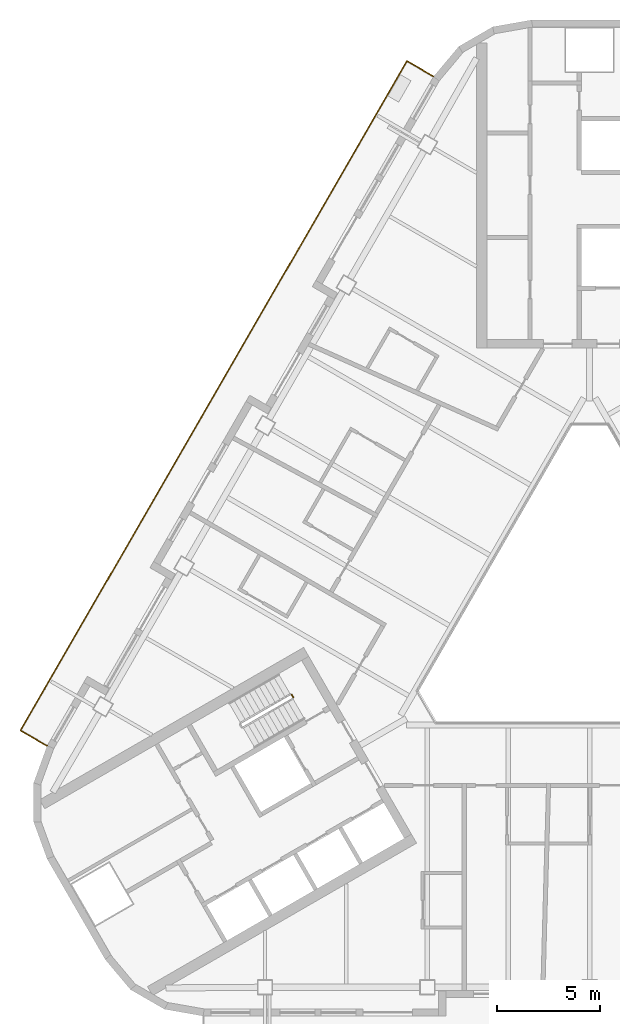
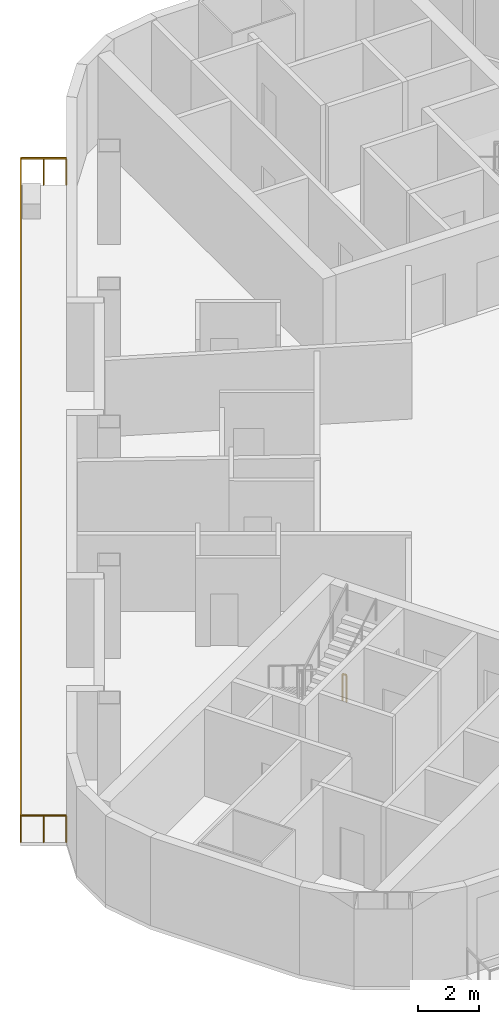
# One storey, part 11 of 14: 2 railings.
"""IFC4 building model written with IfcOpenShell, lengths in metres."""

from ifc_helpers import new_model, si_unit, direction, frame, origin, origin_2d, place, context, subcontext, project, spatial, rectangle, extrude, material, type_object, element, save


model = new_model("IFC4")

# Units and contexts
model_context = context("Model", 3, precision=1e-05, world=origin(), true_north=direction((0.0, 1.0)))
body_context = subcontext(model_context, "Body", "Model", "MODEL_VIEW")
ifc_project = project(units=[si_unit("LENGTHUNIT", "METRE"), si_unit("AREAUNIT", "SQUARE_METRE"), si_unit("VOLUMEUNIT", "CUBIC_METRE"), si_unit("PLANEANGLEUNIT", "RADIAN"), si_unit("MASSUNIT", "GRAM", prefix="KILO")], contexts=[model_context])

# Site, building, storey
site_placement = place(None, origin())
site = spatial("IfcSite", under=ifc_project, at=site_placement, CompositionType="ELEMENT")
building_placement = place(site_placement, origin())
building = spatial("IfcBuilding", under=site, at=building_placement, Name="Apuvela Tower Hotel", CompositionType="ELEMENT")
storey_placement = place(building_placement, frame((0.0, 0.0, 216.89990234375)))
storey = spatial("IfcBuildingStorey", under=building, at=storey_placement, Name="L53", CompositionType="ELEMENT", Elevation=216.89990234375)

# Railings
ifc_material_1 = material(Name="Steel S275 balustrade", Category="steel")
railing_type_1 = type_object("IfcRailingType", Name="COR-GUARD-1100", PredefinedType="GUARDRAIL", material=ifc_material_1)
railing_1_placement = place(storey_placement, frame((-14.500732421875, -3.984130859375, 0.0)))
element("IfcRailing", 1, at=railing_1_placement, inside=storey, type_object=railing_type_1, Name="L53 ST2 stair guard 4", PredefinedType="GUARDRAIL", context=body_context, shape_type="SweptSolid", body=[
    extrude(rectangle(XDim=0.048095703125, YDim=0.048095703125, at=origin_2d()), frame((0.0, 0.0, 1.076171875), z_axis=(0.499816412211, -0.866131372301, 0.0), x_axis=(0.866131372301, 0.499816412211, 0.0)), (0.0, 0.0, 1.0), 0.14990234375),
    extrude(rectangle(XDim=0.0419921875, YDim=0.0419921875, at=origin_2d()), origin(), (0.0, 0.0, 1.0), 1.052001953125),
    extrude(rectangle(XDim=0.0419921875, YDim=0.0419921875, at=origin_2d()), frame((0.074951171875, -0.1298828125, 0.0)), (0.0, 0.0, 1.0), 1.052001953125),
])
ifc_material_2 = material(Name="Stainless steel 316 rail with laminated glass infill", Category="steel")
railing_type_2 = type_object("IfcRailingType", Name="ENV-GUARD-1100", PredefinedType="GUARDRAIL", material=ifc_material_2)
railing_2_placement = place(storey_placement, frame((-7.59228515625, 26.110107421875, 0.0)))
element("IfcRailing", 2, at=railing_2_placement, inside=storey, type_object=railing_type_2, Name="Balcony guard NW L53", PredefinedType="GUARDRAIL", context=body_context, shape_type="SweptSolid", body=[
    extrude(rectangle(XDim=0.050048828125, YDim=0.050048828125, at=origin_2d()), frame((0.0, 0.0, 1.0751953125), z_axis=(-0.86599040064, 0.500060622324, 0.0), x_axis=(-0.500060622324, -0.86599040064, 0.0)), (0.0, 0.0, 1.0), 1.499755859375),
    extrude(rectangle(XDim=0.050048828125, YDim=0.050048828125, at=origin_2d()), frame((-1.298828125, 0.75, 1.0751953125), z_axis=(-0.500000437506, -0.86602515119, 0.0), x_axis=(0.86602515119, -0.500000437506, 0.0)), (0.0, 0.0, 1.0), 37.6318359375),
    extrude(rectangle(XDim=0.050048828125, YDim=0.050048828125, at=origin_2d()), frame((-20.11474609375, -31.840087890625, 1.0751953125), z_axis=(0.866031096941, -0.499990139034, 0.0), x_axis=(0.499990139034, 0.866031096941, 0.0)), (0.0, 0.0, 1.0), 1.5),
    extrude(rectangle(XDim=0.0400390625, YDim=0.0400390625, at=origin_2d()), origin(), (0.0, 0.0, 1.0), 1.050048828125),
    extrude(rectangle(XDim=0.0400390625, YDim=0.0400390625, at=origin_2d()), frame((-0.6494140625, 0.375, 0.0)), (0.0, 0.0, 1.0), 1.050048828125),
    extrude(rectangle(XDim=0.0400390625, YDim=0.0400390625, at=origin_2d()), frame((-1.298828125, 0.75, 0.0)), (0.0, 0.0, 1.0), 1.050048828125),
    extrude(rectangle(XDim=0.0400390625, YDim=0.0400390625, at=origin_2d()), frame((-1.88671875, -0.2685546875, 0.0)), (0.0, 0.0, 1.0), 1.050048828125),
    extrude(rectangle(XDim=0.0400390625, YDim=0.0400390625, at=origin_2d()), frame((-2.474853515625, -1.286865234375, 0.0)), (0.0, 0.0, 1.0), 1.050048828125),
    extrude(rectangle(XDim=0.0400390625, YDim=0.0400390625, at=origin_2d()), frame((-3.062744140625, -2.305419921875, 0.0)), (0.0, 0.0, 1.0), 1.050048828125),
    extrude(rectangle(XDim=0.0400390625, YDim=0.0400390625, at=origin_2d()), frame((-3.65087890625, -3.32373046875, 0.0)), (0.0, 0.0, 1.0), 1.050048828125),
    extrude(rectangle(XDim=0.0400390625, YDim=0.0400390625, at=origin_2d()), frame((-4.23876953125, -4.34228515625, 0.0)), (0.0, 0.0, 1.0), 1.050048828125),
    extrude(rectangle(XDim=0.0400390625, YDim=0.0400390625, at=origin_2d()), frame((-4.826904296875, -5.360595703125, 0.0)), (0.0, 0.0, 1.0), 1.050048828125),
    extrude(rectangle(XDim=0.0400390625, YDim=0.0400390625, at=origin_2d()), frame((-5.414794921875, -6.379150390625, 0.0)), (0.0, 0.0, 1.0), 1.050048828125),
    extrude(rectangle(XDim=0.0400390625, YDim=0.0400390625, at=origin_2d()), frame((-6.0029296875, -7.3974609375, 0.0)), (0.0, 0.0, 1.0), 1.050048828125),
    extrude(rectangle(XDim=0.0400390625, YDim=0.0400390625, at=origin_2d()), frame((-6.5908203125, -8.416015625, 0.0)), (0.0, 0.0, 1.0), 1.050048828125),
    extrude(rectangle(XDim=0.0400390625, YDim=0.0400390625, at=origin_2d()), frame((-7.1787109375, -9.434326171875, 0.0)), (0.0, 0.0, 1.0), 1.050048828125),
    extrude(rectangle(XDim=0.0400390625, YDim=0.0400390625, at=origin_2d()), frame((-7.766845703125, -10.452880859375, 0.0)), (0.0, 0.0, 1.0), 1.050048828125),
    extrude(rectangle(XDim=0.0400390625, YDim=0.0400390625, at=origin_2d()), frame((-8.354736328125, -11.47119140625, 0.0)), (0.0, 0.0, 1.0), 1.050048828125),
    extrude(rectangle(XDim=0.0400390625, YDim=0.0400390625, at=origin_2d()), frame((-8.94287109375, -12.48974609375, 0.0)), (0.0, 0.0, 1.0), 1.050048828125),
    extrude(rectangle(XDim=0.0400390625, YDim=0.0400390625, at=origin_2d()), frame((-9.53076171875, -13.508056640625, 0.0)), (0.0, 0.0, 1.0), 1.050048828125),
    extrude(rectangle(XDim=0.0400390625, YDim=0.0400390625, at=origin_2d()), frame((-10.118896484375, -14.526611328125, 0.0)), (0.0, 0.0, 1.0), 1.050048828125),
    extrude(rectangle(XDim=0.0400390625, YDim=0.0400390625, at=origin_2d()), frame((-10.706787109375, -15.544921875, 0.0)), (0.0, 0.0, 1.0), 1.050048828125),
    extrude(rectangle(XDim=0.0400390625, YDim=0.0400390625, at=origin_2d()), frame((-11.294677734375, -16.5634765625, 0.0)), (0.0, 0.0, 1.0), 1.050048828125),
    extrude(rectangle(XDim=0.0400390625, YDim=0.0400390625, at=origin_2d()), frame((-11.8828125, -17.58203125, 0.0)), (0.0, 0.0, 1.0), 1.050048828125),
    extrude(rectangle(XDim=0.0400390625, YDim=0.0400390625, at=origin_2d()), frame((-12.470703125, -18.600341796875, 0.0)), (0.0, 0.0, 1.0), 1.050048828125),
    extrude(rectangle(XDim=0.0400390625, YDim=0.0400390625, at=origin_2d()), frame((-13.058837890625, -19.618896484375, 0.0)), (0.0, 0.0, 1.0), 1.050048828125),
    extrude(rectangle(XDim=0.0400390625, YDim=0.0400390625, at=origin_2d()), frame((-13.646728515625, -20.63720703125, 0.0)), (0.0, 0.0, 1.0), 1.050048828125),
    extrude(rectangle(XDim=0.0400390625, YDim=0.0400390625, at=origin_2d()), frame((-14.23486328125, -21.65576171875, 0.0)), (0.0, 0.0, 1.0), 1.050048828125),
    extrude(rectangle(XDim=0.0400390625, YDim=0.0400390625, at=origin_2d()), frame((-14.82275390625, -22.674072265625, 0.0)), (0.0, 0.0, 1.0), 1.050048828125),
    extrude(rectangle(XDim=0.0400390625, YDim=0.0400390625, at=origin_2d()), frame((-15.41064453125, -23.692626953125, 0.0)), (0.0, 0.0, 1.0), 1.050048828125),
    extrude(rectangle(XDim=0.0400390625, YDim=0.0400390625, at=origin_2d()), frame((-15.998779296875, -24.7109375, 0.0)), (0.0, 0.0, 1.0), 1.050048828125),
    extrude(rectangle(XDim=0.0400390625, YDim=0.0400390625, at=origin_2d()), frame((-16.586669921875, -25.7294921875, 0.0)), (0.0, 0.0, 1.0), 1.050048828125),
    extrude(rectangle(XDim=0.0400390625, YDim=0.0400390625, at=origin_2d()), frame((-17.1748046875, -26.747802734375, 0.0)), (0.0, 0.0, 1.0), 1.050048828125),
    extrude(rectangle(XDim=0.0400390625, YDim=0.0400390625, at=origin_2d()), frame((-17.7626953125, -27.766357421875, 0.0)), (0.0, 0.0, 1.0), 1.050048828125),
    extrude(rectangle(XDim=0.0400390625, YDim=0.0400390625, at=origin_2d()), frame((-18.350830078125, -28.78466796875, 0.0)), (0.0, 0.0, 1.0), 1.050048828125),
    extrude(rectangle(XDim=0.0400390625, YDim=0.0400390625, at=origin_2d()), frame((-18.938720703125, -29.80322265625, 0.0)), (0.0, 0.0, 1.0), 1.050048828125),
    extrude(rectangle(XDim=0.0400390625, YDim=0.0400390625, at=origin_2d()), frame((-19.52685546875, -30.821533203125, 0.0)), (0.0, 0.0, 1.0), 1.050048828125),
    extrude(rectangle(XDim=0.0400390625, YDim=0.0400390625, at=origin_2d()), frame((-20.11474609375, -31.840087890625, 0.0)), (0.0, 0.0, 1.0), 1.050048828125),
    extrude(rectangle(XDim=0.0400390625, YDim=0.0400390625, at=origin_2d()), frame((-19.46533203125, -32.215087890625, 0.0)), (0.0, 0.0, 1.0), 1.050048828125),
    extrude(rectangle(XDim=0.0400390625, YDim=0.0400390625, at=origin_2d()), frame((-18.815673828125, -32.590087890625, 0.0)), (0.0, 0.0, 1.0), 1.050048828125),
])

save(model, "model.ifc")
